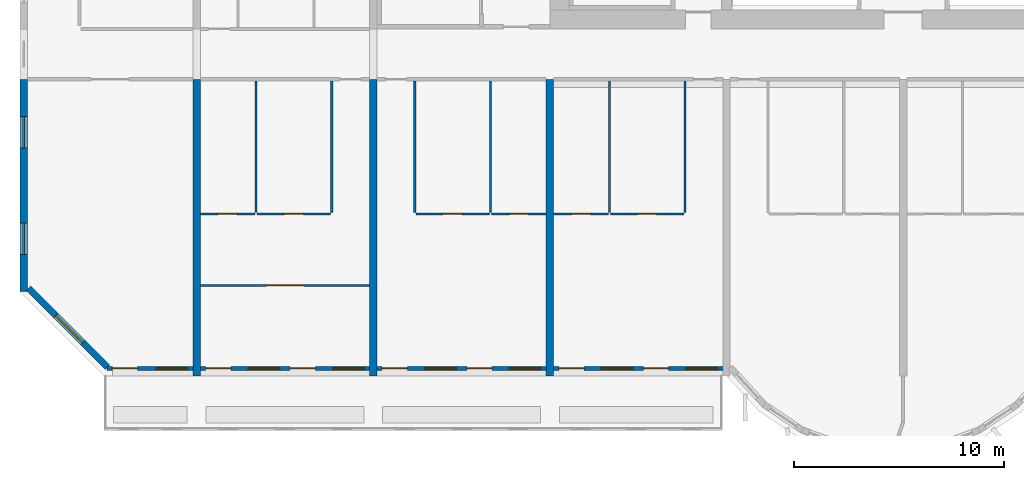
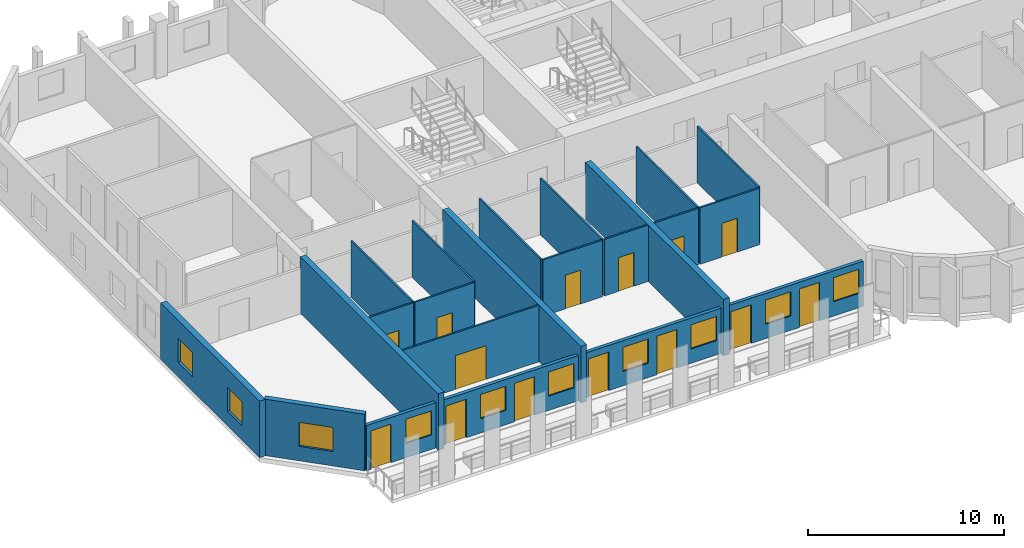
# One storey, part 2 of 14: 22 walls, 14 doors, 10 windows, 24 openings.
"""IFC4 building model written with IfcOpenShell, lengths in metres."""

from ifc_helpers import new_model, si_unit, direction, frame, frame_2d, origin, place, context, subcontext, project, spatial, rectangle, extrude, source, transform, mapped, material, layer, layer_set, type_object, element, fill, save


model = new_model("IFC4")

# Units and contexts
model_context = context("Model", 3, precision=1e-05, world=origin(), true_north=direction((0.0, 1.0)))
body_context = subcontext(model_context, "Body", "Model", "MODEL_VIEW")
ifc_project = project(units=[si_unit("LENGTHUNIT", "METRE"), si_unit("AREAUNIT", "SQUARE_METRE"), si_unit("VOLUMEUNIT", "CUBIC_METRE"), si_unit("PLANEANGLEUNIT", "RADIAN"), si_unit("MASSUNIT", "GRAM", prefix="KILO")], contexts=[model_context])

# Site, building, storey
site_placement = place(None, origin())
site = spatial("IfcSite", under=ifc_project, at=site_placement, CompositionType="ELEMENT")
building_placement = place(site_placement, origin())
building = spatial("IfcBuilding", under=site, at=building_placement, Name="Vanashikhar Sky Hotel", CompositionType="ELEMENT")
storey_placement = place(building_placement, frame((0.0, 0.0, 114.199951171875)))
storey = spatial("IfcBuildingStorey", under=building, at=storey_placement, Name="L27", CompositionType="ELEMENT", Elevation=114.199951171875)

# Wall, openings, windows
ifc_material_1 = material(Name="Concrete M70", Category="concrete")
ifc_layer_1 = layer(ifc_material_1, 0.35009765625)
ifc_layer_set_1 = layer_set([ifc_layer_1], Name="RC shear wall 350 Concrete M70")
wall_type_1 = type_object("IfcWallType", Name="RC shear wall 350 Concrete M70", PredefinedType="SHEAR", material=ifc_layer_set_1)
shared_shape_1 = source(origin(), body_context, "Body", "SweptSolid", [
    extrude(rectangle(XDim=10.10009765625, YDim=0.35009765625, at=frame_2d((5.050048828125, 0.0))), origin(), (0.0, 0.0, 1.0), 3.52001953125),
])
wall_1_placement = place(storey_placement, frame((0.175048828125, 9.5, 0.0), z_axis=(0.0, 0.0, 1.0), x_axis=(0.0, 1.0, 0.0)))
wall_1 = element("IfcWall", 1, at=wall_1_placement, inside=storey, type_object=wall_type_1, Name="CW-L27-XW01-1", PredefinedType="SHEAR", context=body_context, shape_type="MappedRepresentation", body=[
    mapped(shared_shape_1, transform((0.0, 0.0, 0.0), scale=1.0)),
])
shared_shape_2 = source(origin(), body_context, "Body", "SweptSolid", [
    extrude(rectangle(XDim=1.5, YDim=1.5, at=frame_2d((0.75, 0.75))), frame((0.0, 0.18505859375, 0.0), z_axis=(0.0, -1.0, 0.0), x_axis=(1.0, 0.0, 0.0)), (0.0, 0.0, 1.0), 0.3701171875),
])
opening_1_placement = place(wall_1_placement, frame((1.77490234375, 0.0, 0.89990234375)))
opening_1 = element("IfcOpeningElement", 2, at=opening_1_placement, cuts=wall_1, Name="Opening WN-1", PredefinedType="OPENING", context=body_context, shape_type="MappedRepresentation", body=[
    mapped(shared_shape_2, transform((0.0, 0.0, 0.0), scale=1.0)),
])
opening_2_placement = place(wall_1_placement, frame((6.824951171875, 0.0, 0.89990234375)))
opening_2 = element("IfcOpeningElement", 3, at=opening_2_placement, cuts=wall_1, Name="Opening WN-1", PredefinedType="OPENING", context=body_context, shape_type="MappedRepresentation", body=[
    mapped(shared_shape_2, transform((0.0, 0.0, 0.0), scale=1.0)),
])
ifc_material_2 = material(Name="Glass", Category="glass")
window_type_1 = type_object("IfcWindowType", Name="Window 1500 x 1500", PartitioningType="SINGLE_PANEL", PredefinedType="WINDOW", material=ifc_material_2)
shared_shape_3 = source(origin(), body_context, "Body", "SweptSolid", [
    extrude(rectangle(XDim=1.5, YDim=1.5, at=frame_2d((0.75, 0.75))), frame((0.0, 0.030029296875, 0.0), z_axis=(0.0, -1.0, 0.0), x_axis=(1.0, 0.0, 0.0)), (0.0, 0.0, 1.0), 0.06005859375),
])
window_1_placement = place(opening_1_placement, origin())
window_1 = element("IfcWindow", 4, at=window_1_placement, inside=storey, type_object=window_type_1, Name="Window WN-1", OverallHeight=1.5, OverallWidth=1.5, PartitioningType="SINGLE_PANEL", PredefinedType="WINDOW", context=body_context, shape_type="MappedRepresentation", body=[
    mapped(shared_shape_3, transform((0.0, 0.0, 0.0), scale=1.0)),
])
fill(opening_1, window_1)
window_2_placement = place(opening_2_placement, origin())
window_2 = element("IfcWindow", 5, at=window_2_placement, inside=storey, type_object=window_type_1, Name="Window WN-1", OverallHeight=1.5, OverallWidth=1.5, PartitioningType="SINGLE_PANEL", PredefinedType="WINDOW", context=body_context, shape_type="MappedRepresentation", body=[
    mapped(shared_shape_3, transform((0.0, 0.0, 0.0), scale=1.0)),
])
fill(opening_2, window_2)

# Walls
shared_shape_4 = source(origin(), body_context, "Body", "SweptSolid", [
    extrude(rectangle(XDim=14.10009765625, YDim=0.35009765625, at=frame_2d((7.050048828125, 0.0))), origin(), (0.0, 0.0, 1.0), 3.52001953125),
])
for number, where, z_axis, x_axis, name in (
    (6, (8.39990234375, 5.5, 0.0), (0.0, 0.0, 1.0), (0.0, 1.0, 0.0), "CW-L27-XW02-1"),
    (7, (16.800048828125, 5.5, 0.0), (0.0, 0.0, 1.0), (0.0, 1.0, 0.0), "CW-L27-XW03-1"),
    (8, (25.199951171875, 5.5, 0.0), (0.0, 0.0, 1.0), (0.0, 1.0, 0.0), "CW-L27-XW04-1"),
):
    element("IfcWall", number, at=place(storey_placement, frame(where, z_axis=z_axis, x_axis=x_axis)), inside=storey, type_object=wall_type_1, Name=name, PredefinedType="SHEAR", context=body_context, shape_type="MappedRepresentation", body=[
        mapped(shared_shape_4, transform((0.0, 0.0, 0.0), scale=1.0)),
    ])

# Wall, opening, window
ifc_material_3 = material(Name="Concrete M50", Category="concrete")
ifc_layer_2 = layer(ifc_material_3, 0.300048828125)
ifc_layer_set_2 = layer_set([ifc_layer_2], Name="Lobe wall 300")
wall_type_2 = type_object("IfcWallType", Name="Lobe wall 300", PredefinedType="SOLIDWALL", material=ifc_layer_set_2)
shared_shape_5 = source(origin(), body_context, "Body", "SweptSolid", [
    extrude(rectangle(XDim=5.32568359375, YDim=0.300048828125, at=frame_2d((2.662841796875, 0.0))), origin(), (0.0, 0.0, 1.0), 3.52001953125),
])
wall_2_placement = place(storey_placement, frame((0.39990234375, 9.665771484375, 0.0), z_axis=(0.0, 0.0, 1.0), x_axis=(0.707106781187, -0.707106781187, 0.0)))
wall_2 = element("IfcWall", 9, at=wall_2_placement, inside=storey, type_object=wall_type_2, Name="Corner wall", PredefinedType="SOLIDWALL", context=body_context, shape_type="MappedRepresentation", body=[
    mapped(shared_shape_5, transform((0.0, 0.0, 0.0), scale=1.0)),
])
shared_shape_6 = source(origin(), body_context, "Body", "SweptSolid", [
    extrude(rectangle(XDim=1.800048828125, YDim=1.5, at=frame_2d((0.89990234375, 0.75))), frame((0.0, 0.16015625, 0.0), z_axis=(0.0, -1.0, 0.0), x_axis=(1.0, 0.0, 0.0)), (0.0, 0.0, 1.0), 0.320068359375),
])
opening_3_placement = place(wall_2_placement, frame((1.853759765625, 0.0, 0.89990234375)))
opening_3 = element("IfcOpeningElement", 10, at=opening_3_placement, cuts=wall_2, Name="Opening WN-4", PredefinedType="OPENING", context=body_context, shape_type="MappedRepresentation", body=[
    mapped(shared_shape_6, transform((0.0, 0.0, 0.0), scale=1.0)),
])
window_type_2 = type_object("IfcWindowType", Name="Corner window 1800 x 1500", PartitioningType="SINGLE_PANEL", PredefinedType="WINDOW", material=ifc_material_2)
shared_shape_7 = source(origin(), body_context, "Body", "SweptSolid", [
    extrude(rectangle(XDim=1.800048828125, YDim=1.5, at=frame_2d((0.89990234375, 0.75))), frame((0.0, 0.030029296875, 0.0), z_axis=(0.0, -1.0, 0.0), x_axis=(1.0, 0.0, 0.0)), (0.0, 0.0, 1.0), 0.06005859375),
])
window_3_placement = place(opening_3_placement, origin())
window_3 = element("IfcWindow", 11, at=window_3_placement, inside=storey, type_object=window_type_2, Name="Window WN-4", OverallHeight=1.5, OverallWidth=1.800048828125, PartitioningType="SINGLE_PANEL", PredefinedType="WINDOW", context=body_context, shape_type="MappedRepresentation", body=[
    mapped(shared_shape_7, transform((0.0, 0.0, 0.0), scale=1.0)),
])
fill(opening_3, window_3)

# Wall, openings, window, door
ifc_layer_3 = layer(ifc_material_3, 0.199951171875)
ifc_layer_set_3 = layer_set([ifc_layer_3], Name="Front window wall 200")
wall_type_3 = type_object("IfcWallType", Name="Front window wall 200", PredefinedType="SOLIDWALL", material=ifc_layer_set_3)
shared_shape_8 = source(origin(), body_context, "Body", "SweptSolid", [
    extrude(rectangle(XDim=4.080078125, YDim=0.199951171875, at=frame_2d((2.0400390625, 0.0))), origin(), (0.0, 0.0, 1.0), 2.820068359375),
])
wall_3_placement = place(storey_placement, frame((4.14501953125, 5.85009765625, 0.0), z_axis=(0.0, 0.0, 1.0), x_axis=(1.0, 0.0, 0.0)))
wall_3 = element("IfcWall", 12, at=wall_3_placement, inside=storey, type_object=wall_type_3, Name="Front window wall", PredefinedType="SOLIDWALL", context=body_context, shape_type="MappedRepresentation", body=[
    mapped(shared_shape_8, transform((0.0, 0.0, 0.0), scale=1.0)),
])
shared_shape_9 = source(origin(), body_context, "Body", "SweptSolid", [
    extrude(rectangle(XDim=1.199951171875, YDim=2.39990234375, at=frame_2d((0.60009765625, 1.199951171875))), frame((0.0, 0.10986328125, 0.0), z_axis=(0.0, -1.0, 0.0), x_axis=(1.0, 0.0, 0.0)), (0.0, 0.0, 1.0), 0.219970703125),
])
opening_4_placement = place(wall_3_placement, frame((0.25, 0.0, 0.0)))
opening_4 = element("IfcOpeningElement", 13, at=opening_4_placement, cuts=wall_3, Name="Opening BD-01", PredefinedType="OPENING", context=body_context, shape_type="MappedRepresentation", body=[
    mapped(shared_shape_9, transform((0.0, 0.0, 0.0), scale=1.0)),
])
shared_shape_10 = source(origin(), body_context, "Body", "SweptSolid", [
    extrude(rectangle(XDim=1.5, YDim=1.5, at=frame_2d((0.75, 0.75))), frame((0.0, 0.10986328125, 0.0), z_axis=(0.0, -1.0, 0.0), x_axis=(1.0, 0.0, 0.0)), (0.0, 0.0, 1.0), 0.219970703125),
])
opening_5_placement = place(wall_3_placement, frame((2.330078125, 0.0, 0.89990234375)))
opening_5 = element("IfcOpeningElement", 14, at=opening_5_placement, cuts=wall_3, Name="Opening WN-1", PredefinedType="OPENING", context=body_context, shape_type="MappedRepresentation", body=[
    mapped(shared_shape_10, transform((0.0, 0.0, 0.0), scale=1.0)),
])
window_4_placement = place(opening_5_placement, origin())
window_4 = element("IfcWindow", 15, at=window_4_placement, inside=storey, type_object=window_type_1, Name="Window WN-1", OverallHeight=1.5, OverallWidth=1.5, PartitioningType="SINGLE_PANEL", PredefinedType="WINDOW", context=body_context, shape_type="MappedRepresentation", body=[
    mapped(shared_shape_3, transform((0.0, 0.0, 0.0), scale=1.0)),
])
fill(opening_5, window_4)
ifc_material_4 = material(Name="Aluminium", Category="aluminium")
door_type_1 = type_object("IfcDoorType", Name="Balcony sliding door 1200 x 2400", OperationType="NOTDEFINED", PredefinedType="DOOR", material=ifc_material_4)
shared_shape_11 = source(origin(), body_context, "Body", "SweptSolid", [
    extrude(rectangle(XDim=1.199951171875, YDim=2.39990234375, at=frame_2d((0.60009765625, 1.199951171875))), frame((0.0, 0.02490234375, 0.0), z_axis=(0.0, -1.0, 0.0), x_axis=(1.0, 0.0, 0.0)), (0.0, 0.0, 1.0), 0.050048828125),
])
door_1_placement = place(opening_4_placement, origin())
door_1 = element("IfcDoor", 16, at=door_1_placement, inside=storey, type_object=door_type_1, Name="Balcony sliding door", OperationType="SLIDING_TO_LEFT", OverallHeight=2.39990234375, OverallWidth=1.199951171875, PredefinedType="DOOR", context=body_context, shape_type="MappedRepresentation", body=[
    mapped(shared_shape_11, transform((0.0, 0.0, 0.0), scale=1.0)),
])
fill(opening_4, door_1)

# Wall, openings, windows, doors
shared_shape_12 = source(origin(), body_context, "Body", "SweptSolid", [
    extrude(rectangle(XDim=8.050048828125, YDim=0.199951171875, at=frame_2d((4.02490234375, 0.0))), origin(), (0.0, 0.0, 1.0), 2.820068359375),
])
wall_4_placement = place(storey_placement, frame((8.574951171875, 5.85009765625, 0.0), z_axis=(0.0, 0.0, 1.0), x_axis=(1.0, 0.0, 0.0)))
wall_4 = element("IfcWall", 17, at=wall_4_placement, inside=storey, type_object=wall_type_3, Name="Front window wall", PredefinedType="SOLIDWALL", context=body_context, shape_type="MappedRepresentation", body=[
    mapped(shared_shape_12, transform((0.0, 0.0, 0.0), scale=1.0)),
])
opening_6_placement = place(wall_4_placement, frame((0.25, 0.0, 0.0)))
opening_6 = element("IfcOpeningElement", 18, at=opening_6_placement, cuts=wall_4, Name="Opening BD-02", PredefinedType="OPENING", context=body_context, shape_type="MappedRepresentation", body=[
    mapped(shared_shape_9, transform((0.0, 0.0, 0.0), scale=1.0)),
])
opening_7_placement = place(wall_4_placement, frame((2.27490234375, 0.0, 0.89990234375)))
opening_7 = element("IfcOpeningElement", 19, at=opening_7_placement, cuts=wall_4, Name="Opening WN-1", PredefinedType="OPENING", context=body_context, shape_type="MappedRepresentation", body=[
    mapped(shared_shape_10, transform((0.0, 0.0, 0.0), scale=1.0)),
])
opening_8_placement = place(wall_4_placement, frame((4.27490234375, 0.0, 0.0)))
opening_8 = element("IfcOpeningElement", 20, at=opening_8_placement, cuts=wall_4, Name="Opening BD-03", PredefinedType="OPENING", context=body_context, shape_type="MappedRepresentation", body=[
    mapped(shared_shape_9, transform((0.0, 0.0, 0.0), scale=1.0)),
])
opening_9_placement = place(wall_4_placement, frame((6.300048828125, 0.0, 0.89990234375)))
opening_9 = element("IfcOpeningElement", 21, at=opening_9_placement, cuts=wall_4, Name="Opening WN-1", PredefinedType="OPENING", context=body_context, shape_type="MappedRepresentation", body=[
    mapped(shared_shape_10, transform((0.0, 0.0, 0.0), scale=1.0)),
])
window_5_placement = place(opening_7_placement, origin())
window_5 = element("IfcWindow", 22, at=window_5_placement, inside=storey, type_object=window_type_1, Name="Window WN-1", OverallHeight=1.5, OverallWidth=1.5, PartitioningType="SINGLE_PANEL", PredefinedType="WINDOW", context=body_context, shape_type="MappedRepresentation", body=[
    mapped(shared_shape_3, transform((0.0, 0.0, 0.0), scale=1.0)),
])
fill(opening_7, window_5)
window_6_placement = place(opening_9_placement, origin())
window_6 = element("IfcWindow", 23, at=window_6_placement, inside=storey, type_object=window_type_1, Name="Window WN-1", OverallHeight=1.5, OverallWidth=1.5, PartitioningType="SINGLE_PANEL", PredefinedType="WINDOW", context=body_context, shape_type="MappedRepresentation", body=[
    mapped(shared_shape_3, transform((0.0, 0.0, 0.0), scale=1.0)),
])
fill(opening_9, window_6)
door_2_placement = place(opening_6_placement, origin())
door_2 = element("IfcDoor", 24, at=door_2_placement, inside=storey, type_object=door_type_1, Name="Balcony sliding door", OperationType="SLIDING_TO_RIGHT", OverallHeight=2.39990234375, OverallWidth=1.199951171875, PredefinedType="DOOR", context=body_context, shape_type="MappedRepresentation", body=[
    mapped(shared_shape_11, transform((0.0, 0.0, 0.0), scale=1.0)),
])
fill(opening_6, door_2)
door_3_placement = place(opening_8_placement, origin())
door_3 = element("IfcDoor", 25, at=door_3_placement, inside=storey, type_object=door_type_1, Name="Balcony sliding door", OperationType="SLIDING_TO_LEFT", OverallHeight=2.39990234375, OverallWidth=1.199951171875, PredefinedType="DOOR", context=body_context, shape_type="MappedRepresentation", body=[
    mapped(shared_shape_11, transform((0.0, 0.0, 0.0), scale=1.0)),
])
fill(opening_8, door_3)

wall_5_placement = place(storey_placement, frame((25.375, 5.85009765625, 0.0), z_axis=(0.0, 0.0, 1.0), x_axis=(1.0, 0.0, 0.0)))
wall_5 = element("IfcWall", 26, at=wall_5_placement, inside=storey, type_object=wall_type_3, Name="Front window wall", PredefinedType="SOLIDWALL", context=body_context, shape_type="MappedRepresentation", body=[
    mapped(shared_shape_12, transform((0.0, 0.0, 0.0), scale=1.0)),
])
opening_10_placement = place(wall_5_placement, frame((0.25, 0.0, 0.0)))
opening_10 = element("IfcOpeningElement", 27, at=opening_10_placement, cuts=wall_5, Name="Opening BD-06", PredefinedType="OPENING", context=body_context, shape_type="MappedRepresentation", body=[
    mapped(shared_shape_9, transform((0.0, 0.0, 0.0), scale=1.0)),
])
opening_11_placement = place(wall_5_placement, frame((2.27490234375, 0.0, 0.89990234375)))
opening_11 = element("IfcOpeningElement", 28, at=opening_11_placement, cuts=wall_5, Name="Opening WN-1", PredefinedType="OPENING", context=body_context, shape_type="MappedRepresentation", body=[
    mapped(shared_shape_10, transform((0.0, 0.0, 0.0), scale=1.0)),
])
opening_12_placement = place(wall_5_placement, frame((4.27490234375, 0.0, 0.0)))
opening_12 = element("IfcOpeningElement", 29, at=opening_12_placement, cuts=wall_5, Name="Opening BD-07", PredefinedType="OPENING", context=body_context, shape_type="MappedRepresentation", body=[
    mapped(shared_shape_9, transform((0.0, 0.0, 0.0), scale=1.0)),
])
opening_13_placement = place(wall_5_placement, frame((6.300048828125, 0.0, 0.89990234375)))
opening_13 = element("IfcOpeningElement", 30, at=opening_13_placement, cuts=wall_5, Name="Opening WN-1", PredefinedType="OPENING", context=body_context, shape_type="MappedRepresentation", body=[
    mapped(shared_shape_10, transform((0.0, 0.0, 0.0), scale=1.0)),
])
window_7_placement = place(opening_11_placement, origin())
window_7 = element("IfcWindow", 31, at=window_7_placement, inside=storey, type_object=window_type_1, Name="Window WN-1", OverallHeight=1.5, OverallWidth=1.5, PartitioningType="SINGLE_PANEL", PredefinedType="WINDOW", context=body_context, shape_type="MappedRepresentation", body=[
    mapped(shared_shape_3, transform((0.0, 0.0, 0.0), scale=1.0)),
])
fill(opening_11, window_7)
window_8_placement = place(opening_13_placement, origin())
window_8 = element("IfcWindow", 32, at=window_8_placement, inside=storey, type_object=window_type_1, Name="Window WN-1", OverallHeight=1.5, OverallWidth=1.5, PartitioningType="SINGLE_PANEL", PredefinedType="WINDOW", context=body_context, shape_type="MappedRepresentation", body=[
    mapped(shared_shape_3, transform((0.0, 0.0, 0.0), scale=1.0)),
])
fill(opening_13, window_8)
door_4_placement = place(opening_10_placement, origin())
door_4 = element("IfcDoor", 33, at=door_4_placement, inside=storey, type_object=door_type_1, Name="Balcony sliding door", OperationType="SLIDING_TO_RIGHT", OverallHeight=2.39990234375, OverallWidth=1.199951171875, PredefinedType="DOOR", context=body_context, shape_type="MappedRepresentation", body=[
    mapped(shared_shape_11, transform((0.0, 0.0, 0.0), scale=1.0)),
])
fill(opening_10, door_4)
door_5_placement = place(opening_12_placement, origin())
door_5 = element("IfcDoor", 34, at=door_5_placement, inside=storey, type_object=door_type_1, Name="Balcony sliding door", OperationType="SLIDING_TO_LEFT", OverallHeight=2.39990234375, OverallWidth=1.199951171875, PredefinedType="DOOR", context=body_context, shape_type="MappedRepresentation", body=[
    mapped(shared_shape_11, transform((0.0, 0.0, 0.0), scale=1.0)),
])
fill(opening_12, door_5)

shared_shape_13 = source(origin(), body_context, "Body", "SweptSolid", [
    extrude(rectangle(XDim=8.0498046875, YDim=0.199951171875, at=frame_2d((4.02490234375, 0.0))), origin(), (0.0, 0.0, 1.0), 2.820068359375),
])
wall_6_placement = place(storey_placement, frame((16.97509765625, 5.85009765625, 0.0), z_axis=(0.0, 0.0, 1.0), x_axis=(1.0, 0.0, 0.0)))
wall_6 = element("IfcWall", 35, at=wall_6_placement, inside=storey, type_object=wall_type_3, Name="Front window wall", PredefinedType="SOLIDWALL", context=body_context, shape_type="MappedRepresentation", body=[
    mapped(shared_shape_13, transform((0.0, 0.0, 0.0), scale=1.0)),
])
opening_14_placement = place(wall_6_placement, frame((0.25, 0.0, 0.0)))
opening_14 = element("IfcOpeningElement", 36, at=opening_14_placement, cuts=wall_6, Name="Opening BD-04", PredefinedType="OPENING", context=body_context, shape_type="MappedRepresentation", body=[
    mapped(shared_shape_9, transform((0.0, 0.0, 0.0), scale=1.0)),
])
opening_15_placement = place(wall_6_placement, frame((2.27490234375, 0.0, 0.89990234375)))
opening_15 = element("IfcOpeningElement", 37, at=opening_15_placement, cuts=wall_6, Name="Opening WN-1", PredefinedType="OPENING", context=body_context, shape_type="MappedRepresentation", body=[
    mapped(shared_shape_10, transform((0.0, 0.0, 0.0), scale=1.0)),
])
opening_16_placement = place(wall_6_placement, frame((4.27490234375, 0.0, 0.0)))
opening_16 = element("IfcOpeningElement", 38, at=opening_16_placement, cuts=wall_6, Name="Opening BD-05", PredefinedType="OPENING", context=body_context, shape_type="MappedRepresentation", body=[
    mapped(shared_shape_9, transform((0.0, 0.0, 0.0), scale=1.0)),
])
opening_17_placement = place(wall_6_placement, frame((6.300048828125, 0.0, 0.89990234375)))
opening_17 = element("IfcOpeningElement", 39, at=opening_17_placement, cuts=wall_6, Name="Opening WN-1", PredefinedType="OPENING", context=body_context, shape_type="MappedRepresentation", body=[
    mapped(shared_shape_10, transform((0.0, 0.0, 0.0), scale=1.0)),
])
window_9_placement = place(opening_15_placement, origin())
window_9 = element("IfcWindow", 40, at=window_9_placement, inside=storey, type_object=window_type_1, Name="Window WN-1", OverallHeight=1.5, OverallWidth=1.5, PartitioningType="SINGLE_PANEL", PredefinedType="WINDOW", context=body_context, shape_type="MappedRepresentation", body=[
    mapped(shared_shape_3, transform((0.0, 0.0, 0.0), scale=1.0)),
])
fill(opening_15, window_9)
window_10_placement = place(opening_17_placement, origin())
window_10 = element("IfcWindow", 41, at=window_10_placement, inside=storey, type_object=window_type_1, Name="Window WN-1", OverallHeight=1.5, OverallWidth=1.5, PartitioningType="SINGLE_PANEL", PredefinedType="WINDOW", context=body_context, shape_type="MappedRepresentation", body=[
    mapped(shared_shape_3, transform((0.0, 0.0, 0.0), scale=1.0)),
])
fill(opening_17, window_10)
door_6_placement = place(opening_14_placement, origin())
door_6 = element("IfcDoor", 42, at=door_6_placement, inside=storey, type_object=door_type_1, Name="Balcony sliding door", OperationType="SLIDING_TO_RIGHT", OverallHeight=2.39990234375, OverallWidth=1.199951171875, PredefinedType="DOOR", context=body_context, shape_type="MappedRepresentation", body=[
    mapped(shared_shape_11, transform((0.0, 0.0, 0.0), scale=1.0)),
])
fill(opening_14, door_6)
door_7_placement = place(opening_16_placement, origin())
door_7 = element("IfcDoor", 43, at=door_7_placement, inside=storey, type_object=door_type_1, Name="Balcony sliding door", OperationType="SLIDING_TO_LEFT", OverallHeight=2.39990234375, OverallWidth=1.199951171875, PredefinedType="DOOR", context=body_context, shape_type="MappedRepresentation", body=[
    mapped(shared_shape_11, transform((0.0, 0.0, 0.0), scale=1.0)),
])
fill(opening_16, door_7)

# Wall, opening, door
ifc_material_5 = material(Name="Gypsum plasterboard partition")
ifc_layer_4 = layer(ifc_material_5, 0.10009765625)
ifc_layer_set_4 = layer_set([ifc_layer_4], Name="Wet room partition 100")
wall_type_4 = type_object("IfcWallType", Name="Wet room partition 100", PredefinedType="PARTITIONING", material=ifc_layer_set_4)
shared_shape_14 = source(origin(), body_context, "Body", "SweptSolid", [
    extrude(rectangle(XDim=3.5, YDim=0.10009765625, at=frame_2d((1.75, 0.0))), origin(), (0.0, 0.0, 1.0), 3.52001953125),
])
wall_7_placement = place(storey_placement, frame((11.27490234375, 13.199951171875, 0.0), z_axis=(0.0, 0.0, 1.0), x_axis=(1.0, 0.0, 0.0)))
wall_7 = element("IfcWall", 44, at=wall_7_placement, inside=storey, type_object=wall_type_4, Name="W-L27-PW004", PredefinedType="PARTITIONING", context=body_context, shape_type="MappedRepresentation", body=[
    mapped(shared_shape_14, transform((0.0, 0.0, 0.0), scale=1.0)),
])
shared_shape_15 = source(origin(), body_context, "Body", "SweptSolid", [
    extrude(rectangle(XDim=0.89990234375, YDim=2.10009765625, at=frame_2d((0.449951171875, 1.050048828125))), frame((0.0, 0.06005859375, 0.0), z_axis=(0.0, -1.0, 0.0), x_axis=(1.0, 0.0, 0.0)), (0.0, 0.0, 1.0), 0.1201171875),
])
opening_18_placement = place(wall_7_placement, frame((1.300048828125, 0.0, 0.0)))
opening_18 = element("IfcOpeningElement", 45, at=opening_18_placement, cuts=wall_7, Name="Opening D-02", PredefinedType="OPENING", context=body_context, shape_type="MappedRepresentation", body=[
    mapped(shared_shape_15, transform((0.0, 0.0, 0.0), scale=1.0)),
])
ifc_material_6 = material(Name="Timber door", Category="wood")
door_type_2 = type_object("IfcDoorType", Name="Internal door 900", OperationType="NOTDEFINED", PredefinedType="DOOR", material=ifc_material_6)
shared_shape_16 = source(origin(), body_context, "Body", "SweptSolid", [
    extrude(rectangle(XDim=0.89990234375, YDim=2.10009765625, at=frame_2d((0.449951171875, 1.050048828125))), frame((0.0, 0.02490234375, 0.0), z_axis=(0.0, -1.0, 0.0), x_axis=(1.0, 0.0, 0.0)), (0.0, 0.0, 1.0), 0.050048828125),
])
door_8_placement = place(opening_18_placement, origin())
door_8 = element("IfcDoor", 46, at=door_8_placement, inside=storey, type_object=door_type_2, Name="D-L27-002", OperationType="SINGLE_SWING_RIGHT", OverallHeight=2.10009765625, OverallWidth=0.89990234375, PredefinedType="DOOR", context=body_context, shape_type="MappedRepresentation", body=[
    mapped(shared_shape_16, transform((0.0, 0.0, 0.0), scale=1.0)),
])
fill(opening_18, door_8)

wall_8_placement = place(storey_placement, frame((18.824951171875, 13.199951171875, 0.0), z_axis=(0.0, 0.0, 1.0), x_axis=(1.0, 0.0, 0.0)))
wall_8 = element("IfcWall", 47, at=wall_8_placement, inside=storey, type_object=wall_type_4, Name="W-L27-PW010", PredefinedType="PARTITIONING", context=body_context, shape_type="MappedRepresentation", body=[
    mapped(shared_shape_14, transform((0.0, 0.0, 0.0), scale=1.0)),
])
opening_19_placement = place(wall_8_placement, frame((1.300048828125, 0.0, 0.0)))
opening_19 = element("IfcOpeningElement", 48, at=opening_19_placement, cuts=wall_8, Name="Opening D-02", PredefinedType="OPENING", context=body_context, shape_type="MappedRepresentation", body=[
    mapped(shared_shape_15, transform((0.0, 0.0, 0.0), scale=1.0)),
])
door_9_placement = place(opening_19_placement, origin())
door_9 = element("IfcDoor", 49, at=door_9_placement, inside=storey, type_object=door_type_2, Name="D-L27-006", OperationType="SINGLE_SWING_LEFT", OverallHeight=2.10009765625, OverallWidth=0.89990234375, PredefinedType="DOOR", context=body_context, shape_type="MappedRepresentation", body=[
    mapped(shared_shape_16, transform((0.0, 0.0, 0.0), scale=1.0)),
])
fill(opening_19, door_9)

wall_9_placement = place(storey_placement, frame((28.074951171875, 13.199951171875, 0.0), z_axis=(0.0, 0.0, 1.0), x_axis=(1.0, 0.0, 0.0)))
wall_9 = element("IfcWall", 50, at=wall_9_placement, inside=storey, type_object=wall_type_4, Name="W-L27-PW015", PredefinedType="PARTITIONING", context=body_context, shape_type="MappedRepresentation", body=[
    mapped(shared_shape_14, transform((0.0, 0.0, 0.0), scale=1.0)),
])
opening_20_placement = place(wall_9_placement, frame((1.300048828125, 0.0, 0.0)))
opening_20 = element("IfcOpeningElement", 51, at=opening_20_placement, cuts=wall_9, Name="Opening D-02", PredefinedType="OPENING", context=body_context, shape_type="MappedRepresentation", body=[
    mapped(shared_shape_15, transform((0.0, 0.0, 0.0), scale=1.0)),
])
door_10_placement = place(opening_20_placement, origin())
door_10 = element("IfcDoor", 52, at=door_10_placement, inside=storey, type_object=door_type_2, Name="D-L27-009", OperationType="SINGLE_SWING_RIGHT", OverallHeight=2.10009765625, OverallWidth=0.89990234375, PredefinedType="DOOR", context=body_context, shape_type="MappedRepresentation", body=[
    mapped(shared_shape_16, transform((0.0, 0.0, 0.0), scale=1.0)),
])
fill(opening_20, door_10)

# Walls
shared_shape_17 = source(origin(), body_context, "Body", "SweptSolid", [
    extrude(rectangle(XDim=6.25, YDim=0.10009765625, at=frame_2d((3.125, 0.0))), origin(), (0.0, 0.0, 1.0), 3.52001953125),
])
for number, where, z_axis, x_axis, name in (
    (53, (14.824951171875, 13.27490234375, 0.0), (0.0, 0.0, 1.0), (0.0, 1.0, 0.0), "W-L27-PW002"),
    (54, (11.22509765625, 13.27490234375, 0.0), (0.0, 0.0, 1.0), (0.0, 1.0, 0.0), "W-L27-PW003"),
    (55, (18.77490234375, 13.27490234375, 0.0), (0.0, 0.0, 1.0), (0.0, 1.0, 0.0), "W-L27-PW008"),
    (56, (22.375, 13.27490234375, 0.0), (0.0, 0.0, 1.0), (0.0, 1.0, 0.0), "W-L27-PW009"),
    (57, (31.625, 13.27490234375, 0.0), (0.0, 0.0, 1.0), (0.0, 1.0, 0.0), "W-L27-PW013"),
    (58, (28.02490234375, 13.27490234375, 0.0), (0.0, 0.0, 1.0), (0.0, 1.0, 0.0), "W-L27-PW014"),
):
    element("IfcWall", number, at=place(storey_placement, frame(where, z_axis=z_axis, x_axis=x_axis)), inside=storey, type_object=wall_type_4, Name=name, PredefinedType="PARTITIONING", context=body_context, shape_type="MappedRepresentation", body=[
        mapped(shared_shape_17, transform((0.0, 0.0, 0.0), scale=1.0)),
    ])

# Wall, opening, door
shared_shape_18 = source(origin(), body_context, "Body", "SweptSolid", [
    extrude(rectangle(XDim=2.60009765625, YDim=0.10009765625, at=frame_2d((1.300048828125, 0.0))), origin(), (0.0, 0.0, 1.0), 3.52001953125),
])
wall_10_placement = place(storey_placement, frame((8.574951171875, 13.199951171875, 0.0), z_axis=(0.0, 0.0, 1.0), x_axis=(1.0, 0.0, 0.0)))
wall_10 = element("IfcWall", 59, at=wall_10_placement, inside=storey, type_object=wall_type_4, Name="W-L27-PW005", PredefinedType="PARTITIONING", context=body_context, shape_type="MappedRepresentation", body=[
    mapped(shared_shape_18, transform((0.0, 0.0, 0.0), scale=1.0)),
])
opening_21_placement = place(wall_10_placement, frame((0.85009765625, 0.0, 0.0)))
opening_21 = element("IfcOpeningElement", 60, at=opening_21_placement, cuts=wall_10, Name="Opening D-02", PredefinedType="OPENING", context=body_context, shape_type="MappedRepresentation", body=[
    mapped(shared_shape_15, transform((0.0, 0.0, 0.0), scale=1.0)),
])
door_11_placement = place(opening_21_placement, origin())
door_11 = element("IfcDoor", 61, at=door_11_placement, inside=storey, type_object=door_type_2, Name="D-L27-003", OperationType="SINGLE_SWING_RIGHT", OverallHeight=2.10009765625, OverallWidth=0.89990234375, PredefinedType="DOOR", context=body_context, shape_type="MappedRepresentation", body=[
    mapped(shared_shape_16, transform((0.0, 0.0, 0.0), scale=1.0)),
])
fill(opening_21, door_11)

wall_11_placement = place(storey_placement, frame((25.375, 13.199951171875, 0.0), z_axis=(0.0, 0.0, 1.0), x_axis=(1.0, 0.0, 0.0)))
wall_11 = element("IfcWall", 62, at=wall_11_placement, inside=storey, type_object=wall_type_4, Name="W-L27-PW016", PredefinedType="PARTITIONING", context=body_context, shape_type="MappedRepresentation", body=[
    mapped(shared_shape_18, transform((0.0, 0.0, 0.0), scale=1.0)),
])
opening_22_placement = place(wall_11_placement, frame((0.85009765625, 0.0, 0.0)))
opening_22 = element("IfcOpeningElement", 63, at=opening_22_placement, cuts=wall_11, Name="Opening D-02", PredefinedType="OPENING", context=body_context, shape_type="MappedRepresentation", body=[
    mapped(shared_shape_15, transform((0.0, 0.0, 0.0), scale=1.0)),
])
door_12_placement = place(opening_22_placement, origin())
door_12 = element("IfcDoor", 64, at=door_12_placement, inside=storey, type_object=door_type_2, Name="D-L27-010", OperationType="SINGLE_SWING_RIGHT", OverallHeight=2.10009765625, OverallWidth=0.89990234375, PredefinedType="DOOR", context=body_context, shape_type="MappedRepresentation", body=[
    mapped(shared_shape_16, transform((0.0, 0.0, 0.0), scale=1.0)),
])
fill(opening_22, door_12)

shared_shape_19 = source(origin(), body_context, "Body", "SweptSolid", [
    extrude(rectangle(XDim=2.599853515625, YDim=0.10009765625, at=frame_2d((1.2998046875, 0.0))), origin(), (0.0, 0.0, 1.0), 3.52001953125),
])
wall_12_placement = place(storey_placement, frame((22.425048828125, 13.199951171875, 0.0), z_axis=(0.0, 0.0, 1.0), x_axis=(1.0, 0.0, 0.0)))
wall_12 = element("IfcWall", 65, at=wall_12_placement, inside=storey, type_object=wall_type_4, Name="W-L27-PW011", PredefinedType="PARTITIONING", context=body_context, shape_type="MappedRepresentation", body=[
    mapped(shared_shape_19, transform((0.0, 0.0, 0.0), scale=1.0)),
])
opening_23_placement = place(wall_12_placement, frame((0.85009765625, 0.0, 0.0)))
opening_23 = element("IfcOpeningElement", 66, at=opening_23_placement, cuts=wall_12, Name="Opening D-02", PredefinedType="OPENING", context=body_context, shape_type="MappedRepresentation", body=[
    mapped(shared_shape_15, transform((0.0, 0.0, 0.0), scale=1.0)),
])
door_13_placement = place(opening_23_placement, origin())
door_13 = element("IfcDoor", 67, at=door_13_placement, inside=storey, type_object=door_type_2, Name="D-L27-007", OperationType="SINGLE_SWING_LEFT", OverallHeight=2.10009765625, OverallWidth=0.89990234375, PredefinedType="DOOR", context=body_context, shape_type="MappedRepresentation", body=[
    mapped(shared_shape_16, transform((0.0, 0.0, 0.0), scale=1.0)),
])
fill(opening_23, door_13)

shared_shape_20 = source(origin(), body_context, "Body", "SweptSolid", [
    extrude(rectangle(XDim=8.050048828125, YDim=0.10009765625, at=frame_2d((4.02490234375, 0.0))), origin(), (0.0, 0.0, 1.0), 3.52001953125),
])
wall_13_placement = place(storey_placement, frame((8.574951171875, 9.802001953125, 0.0), z_axis=(0.0, 0.0, 1.0), x_axis=(1.0, 0.0, 0.0)))
wall_13 = element("IfcWall", 68, at=wall_13_placement, inside=storey, type_object=wall_type_4, Name="W-L27-PW006", PredefinedType="PARTITIONING", context=body_context, shape_type="MappedRepresentation", body=[
    mapped(shared_shape_20, transform((0.0, 0.0, 0.0), scale=1.0)),
])
shared_shape_21 = source(origin(), body_context, "Body", "SweptSolid", [
    extrude(rectangle(XDim=1.800048828125, YDim=2.10009765625, at=frame_2d((0.89990234375, 1.050048828125))), frame((0.0, 0.06005859375, 0.0), z_axis=(0.0, -1.0, 0.0), x_axis=(1.0, 0.0, 0.0)), (0.0, 0.0, 1.0), 0.1201171875),
])
opening_24_placement = place(wall_13_placement, frame((3.125, 0.0, 0.0)))
opening_24 = element("IfcOpeningElement", 69, at=opening_24_placement, cuts=wall_13, Name="Opening D-08", PredefinedType="OPENING", context=body_context, shape_type="MappedRepresentation", body=[
    mapped(shared_shape_21, transform((0.0, 0.0, 0.0), scale=1.0)),
])
door_type_3 = type_object("IfcDoorType", Name="Double leaf door 1800", OperationType="NOTDEFINED", PredefinedType="DOOR", material=ifc_material_6)
shared_shape_22 = source(origin(), body_context, "Body", "SweptSolid", [
    extrude(rectangle(XDim=1.800048828125, YDim=2.10009765625, at=frame_2d((0.89990234375, 1.050048828125))), frame((0.0, 0.02490234375, 0.0), z_axis=(0.0, -1.0, 0.0), x_axis=(1.0, 0.0, 0.0)), (0.0, 0.0, 1.0), 0.050048828125),
])
door_14_placement = place(opening_24_placement, origin())
door_14 = element("IfcDoor", 70, at=door_14_placement, inside=storey, type_object=door_type_3, Name="D-L27-004", OperationType="DOUBLE_DOOR_SINGLE_SWING", OverallHeight=2.10009765625, OverallWidth=1.800048828125, PredefinedType="DOOR", context=body_context, shape_type="MappedRepresentation", body=[
    mapped(shared_shape_22, transform((0.0, 0.0, 0.0), scale=1.0)),
])
fill(opening_24, door_14)

save(model, "model.ifc")
